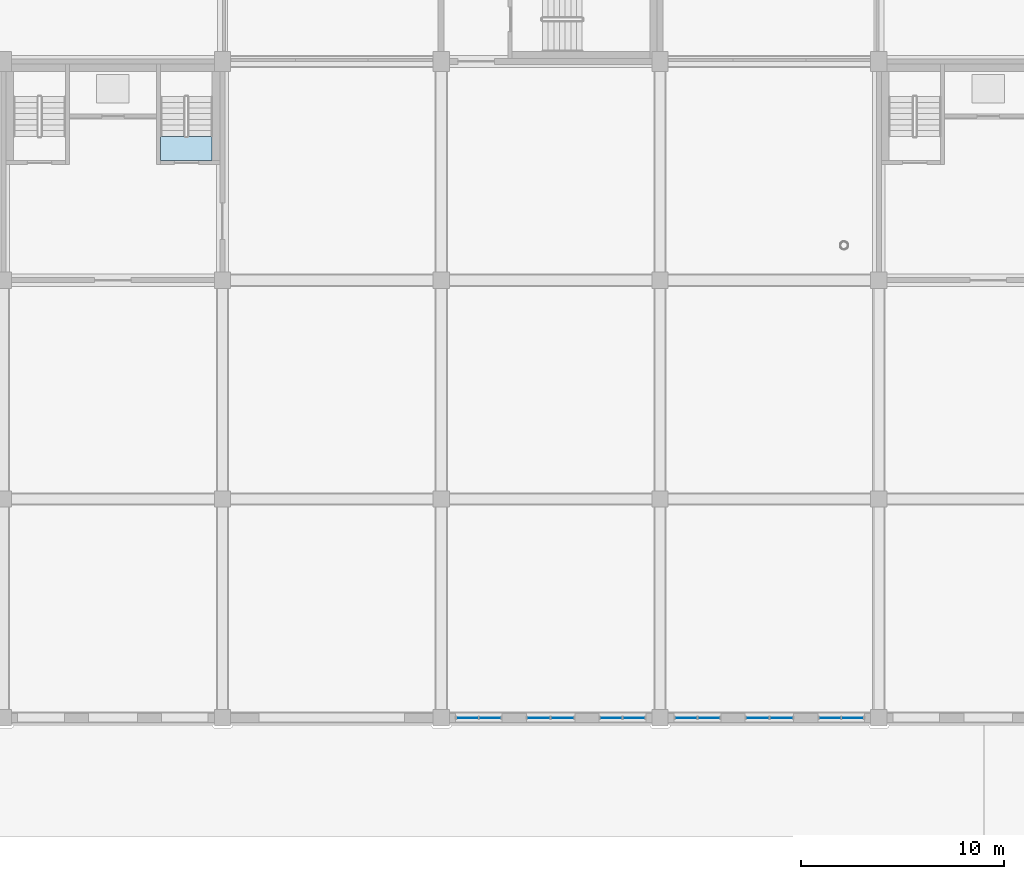
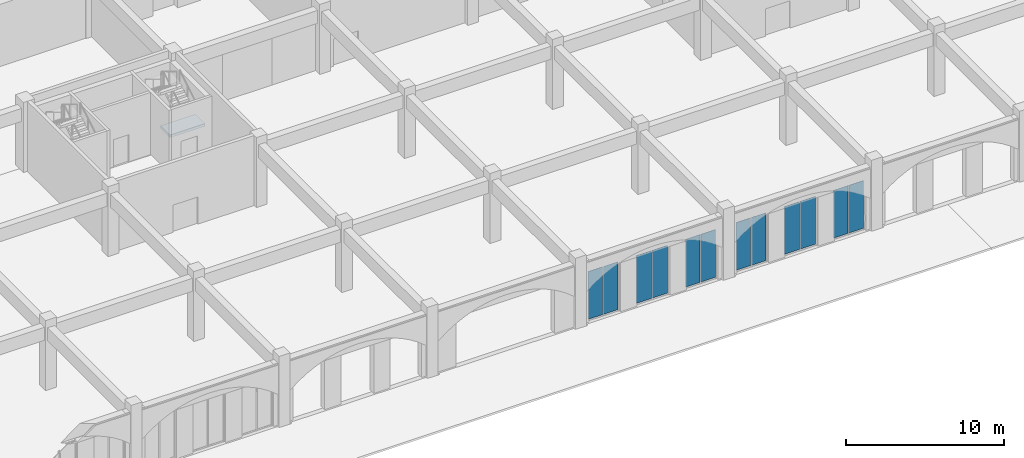
# One storey, part 22 of 101: 12 plates, 1 slab, 7 elements without a shape of their own.
"""IFC4 building model written with IfcOpenShell, lengths in metres."""

import ifcopenshell
import ifcopenshell.guid

model = None  # the IFC model being written
_history = None  # IfcOwnerHistory: only IFC2X3 demands one
_inside = {}  # id of a spatial element -> (the spatial element, [elements in it])
_under = {}  # id of a project, library or spatial element -> (it, [spatial elements below it])
_declared = {}  # id of a project -> (the project, [libraries it declares])
_typed = {}  # id of a type object -> (the type object, [elements of that type])
_made_of = {}  # id of a material, layer set ... -> (it, [elements and type objects made of it])


def new_model(schema):
    """Start an empty IFC model of exactly this schema.

    Asked for "IFC4X3", IfcOpenShell would pick the latest addendum, in which some entities
    have other attributes; the version numbers below select the first issue.
    IFC2X3 requires an IfcOwnerHistory on every rooted entity: one is made here for all.
    """
    global model, _history
    if schema == "IFC4X3":
        model = ifcopenshell.file(schema_version=(4, 3, 0, 0))
    else:
        model = ifcopenshell.file(schema=schema)
    _inside.clear()
    _under.clear()
    _declared.clear()
    _typed.clear()
    _made_of.clear()
    _history = None
    if model.schema == "IFC2X3":
        org = make("IfcOrganization", Name="unknown")
        user = make(
            "IfcPersonAndOrganization",
            ThePerson=make("IfcPerson", FamilyName="unknown"),
            TheOrganization=org,
        )
        app = make(
            "IfcApplication",
            ApplicationDeveloper=org,
            Version="unknown",
            ApplicationFullName="unknown",
            ApplicationIdentifier="unknown",
        )
        _history = make(
            "IfcOwnerHistory",
            OwningUser=user,
            OwningApplication=app,
            ChangeAction="ADDED",
            CreationDate=0,
        )
    return model


def make(cls, **values):
    """One entity of the class cls with the attributes given. An attribute that is None is left unset."""
    return model.create_entity(
        cls, **{name: value for name, value in values.items() if value is not None}
    )


def rooted(cls, **values):
    """An entity with a GlobalId (a new one), such as an element, a storey or a relation."""
    return make(cls, GlobalId=ifcopenshell.guid.new(), OwnerHistory=_history, **values)


def si_unit(unit_type, name, prefix=None):
    """IfcSIUnit, for example si_unit("LENGTHUNIT", "METRE", prefix="MILLI")."""
    return make("IfcSIUnit", UnitType=unit_type, Prefix=prefix, Name=name)


def assignment(units):
    """IfcUnitAssignment: the units of a project."""
    return None if units is None else make("IfcUnitAssignment", Units=units)


def point(xyz):
    """IfcCartesianPoint."""
    return None if xyz is None else make("IfcCartesianPoint", Coordinates=xyz)


def direction(xyz):
    """IfcDirection."""
    return None if xyz is None else make("IfcDirection", DirectionRatios=xyz)


def frame(location, z_axis=None, x_axis=None):
    """IfcAxis2Placement3D, a coordinate frame: its origin and axes. An axis left out is left unset."""
    return make(
        "IfcAxis2Placement3D",
        Location=point(location),
        Axis=direction(z_axis),
        RefDirection=direction(x_axis),
    )


def frame_2d(location, x_axis=None):
    """IfcAxis2Placement2D, a coordinate frame in the plane: its origin and x axis."""
    return make(
        "IfcAxis2Placement2D", Location=point(location), RefDirection=direction(x_axis)
    )


def origin():
    """The frame at (0, 0, 0) with its axes left unset."""
    return frame((0.0, 0.0, 0.0))


def origin_2d():
    """The frame at (0, 0) in the plane with its x axis left unset."""
    return frame_2d((0.0, 0.0))


def place(relative_to, where):
    """IfcLocalPlacement: puts the frame where relative to a parent placement (None: the world)."""
    return make(
        "IfcLocalPlacement", PlacementRelTo=relative_to, RelativePlacement=where
    )


def context(
    kind, dimensions, precision=None, world=None, true_north=None, identifier=None
):
    """IfcGeometricRepresentationContext, for example the 3D "Model" context."""
    return make(
        "IfcGeometricRepresentationContext",
        ContextIdentifier=identifier,
        ContextType=kind,
        CoordinateSpaceDimension=dimensions,
        Precision=precision,
        WorldCoordinateSystem=world,
        TrueNorth=true_north,
    )


def subcontext(parent, identifier, kind, view, scale=None):
    """IfcGeometricRepresentationSubContext, for example "Body" below "Model"."""
    return make(
        "IfcGeometricRepresentationSubContext",
        ContextIdentifier=identifier,
        ContextType=kind,
        ParentContext=parent,
        TargetScale=scale,
        TargetView=view,
    )


def project(units=None, contexts=None):
    """IfcProject with its units and contexts."""
    return rooted(
        "IfcProject",
        Name="project",
        RepresentationContexts=contexts,
        UnitsInContext=assignment(units),
    )


def spatial(cls, under=None, at=None, **own):
    """A site, building, storey or space (cls), placed at a placement, below another one or the project."""
    s = rooted(cls, ObjectPlacement=at, **own)
    if under is not None:
        _under.setdefault(under.id(), (under, []))[1].append(s)
    return s


def polyline(points):
    """IfcPolyline through the points."""
    return make("IfcPolyline", Points=[point(p) for p in points])


def profile(cls, at=None, kind="AREA", **sizes):
    """A parametric profile (cls). Its sizes go by their IFC names, for example OverallWidth=200.0."""
    return make(cls, ProfileType=kind, Position=at, **sizes)


def rectangle(**sizes):
    """IfcRectangleProfileDef."""
    return profile("IfcRectangleProfileDef", **sizes)


def outline(outer, holes=None, kind="AREA"):
    """IfcArbitraryClosedProfileDef: a profile drawn as a closed curve; with holes, ...WithVoids."""
    if holes is None:
        return make("IfcArbitraryClosedProfileDef", ProfileType=kind, OuterCurve=outer)
    return make(
        "IfcArbitraryProfileDefWithVoids",
        ProfileType=kind,
        OuterCurve=outer,
        InnerCurves=holes,
    )


def extrude(swept, where, along, depth):
    """IfcExtrudedAreaSolid: the profile swept, set in the frame where, extruded along a direction by depth."""
    return make(
        "IfcExtrudedAreaSolid",
        SweptArea=swept,
        Position=where,
        ExtrudedDirection=direction(along),
        Depth=depth,
    )


def shape(context_of_items, identifier, shape_type, items):
    """IfcShapeRepresentation: the items that make up one representation, for example the "Body"."""
    return make(
        "IfcShapeRepresentation",
        ContextOfItems=context_of_items,
        RepresentationIdentifier=identifier,
        RepresentationType=shape_type,
        Items=items,
    )


def material(Name=None, Category=None):
    """IfcMaterial."""
    return make("IfcMaterial", Name=Name, Category=Category)


def layer(
    of_material, thickness, ventilated=None, Name=None, Category=None, Priority=None
):
    """IfcMaterialLayer: one layer of a wall or slab, of a material (None: an air gap)."""
    return make(
        "IfcMaterialLayer",
        Material=of_material,
        LayerThickness=thickness,
        IsVentilated=ventilated,
        Name=Name,
        Category=Category,
        Priority=Priority,
    )


def layer_set(layers, Name=None):
    """IfcMaterialLayerSet."""
    return make("IfcMaterialLayerSet", MaterialLayers=layers, LayerSetName=Name)


def made_of(thing, what):
    """Note that an element or type object is made of a material, layer set ...; save() writes the relation."""
    if what is not None:
        _made_of.setdefault(what.id(), (what, []))[1].append(thing)
    return thing


def type_object(cls, material=None, **own):
    """A type object (cls), such as IfcWallType, which elements share."""
    return made_of(rooted(cls, **own), material)


def element(
    cls,
    number,
    at=None,
    inside=None,
    cuts=None,
    type_object=None,
    material=None,
    context=None,
    identifier="Body",
    shape_type=None,
    held_by="IfcProductDefinitionShape",
    body=None,
    shapes=None,
    **own,
):
    """One element of the class cls, such as IfcWall. Its Tag is "e" and its number.

    at: its placement. inside: the storey or other place that contains it. cuts: it is an
    opening in that element (IfcRelVoidsElement). A single representation is given by context,
    identifier, shape_type and body (its items); several are given by shapes. held_by: the class
    of the entity that holds the representations. save() writes the other relations.
    """
    e = rooted(cls, Tag="e%d" % number, ObjectPlacement=at, **own)
    if body is not None:
        shapes = [shape(context, identifier, shape_type, body)]
    if shapes is not None:
        e.Representation = make(held_by, Representations=shapes)
    if inside is not None:
        _inside.setdefault(inside.id(), (inside, []))[1].append(e)
    if cuts is not None:
        rooted(
            "IfcRelVoidsElement", RelatingBuildingElement=cuts, RelatedOpeningElement=e
        )
    if type_object is not None:
        _typed.setdefault(type_object.id(), (type_object, []))[1].append(e)
    return made_of(e, material)


def aggregate(whole, parts):
    """IfcRelAggregates: a whole, such as a stair, and the parts it consists of."""
    return rooted("IfcRelAggregates", RelatingObject=whole, RelatedObjects=parts)


def save(model, path):
    """Write the relations noted so far, then the file.

    IfcRelAggregates (storeys below a building ...), IfcRelContainedInSpatialStructure (elements
    in a storey), IfcRelDefinesByType, IfcRelAssociatesMaterial and IfcRelDeclares: one each for
    every whole, place, type object, material and project.
    """
    for whole, parts in _under.values():
        aggregate(whole, parts)
    for where, things in _inside.values():
        rooted(
            "IfcRelContainedInSpatialStructure",
            RelatedElements=things,
            RelatingStructure=where,
        )
    for kind, things in _typed.values():
        rooted("IfcRelDefinesByType", RelatedObjects=things, RelatingType=kind)
    for what, things in _made_of.values():
        rooted("IfcRelAssociatesMaterial", RelatedObjects=things, RelatingMaterial=what)
    for by, libraries in _declared.values():
        rooted("IfcRelDeclares", RelatingContext=by, RelatedDefinitions=libraries)
    model.write(path)


model = new_model("IFC4")

# Units and contexts
model_context = context("Model", 3, precision=1e-05, world=origin(), true_north=direction((0.0, 1.0)))
body_context = subcontext(model_context, "Body", "Model", "MODEL_VIEW")
ifc_project = project(units=[si_unit("LENGTHUNIT", "METRE"), si_unit("AREAUNIT", "SQUARE_METRE"), si_unit("VOLUMEUNIT", "CUBIC_METRE"), si_unit("PLANEANGLEUNIT", "RADIAN"), si_unit("MASSUNIT", "GRAM", prefix="KILO")], contexts=[model_context])

# Site, building, storey
site_placement = place(None, origin())
site = spatial("IfcSite", under=ifc_project, at=site_placement, CompositionType="ELEMENT")
building_placement = place(site_placement, origin())
building = spatial("IfcBuilding", under=site, at=building_placement, Name="Magnolia Steps Interchange", CompositionType="ELEMENT")
storey_placement = place(building_placement, frame((0.0, 0.0, -5.39990234375)))
storey = spatial("IfcBuildingStorey", under=building, at=storey_placement, Name="B1", CompositionType="ELEMENT", Elevation=-5.39990234375)

# Stair, slab
ifc_material_1 = material(Name="Concrete C40", Category="concrete")
stair_type = type_object("IfcStairType", Name="Exit stair 1200", PredefinedType="HALF_TURN_STAIR", material=ifc_material_1)
stair_placement = place(storey_placement, origin())
stair = element("IfcStair", 1, at=stair_placement, inside=storey, type_object=stair_type, Name="B1 Stair 20", PredefinedType="HALF_TURN_STAIR")
ifc_material_2 = material(Name="Concrete C40", Category="concrete")
ifc_layer_1 = layer(ifc_material_2, 0.199951171875)
ifc_layer_set_1 = layer_set([ifc_layer_1], Name="Exit stair landing 200")
slab_type = type_object("IfcSlabType", Name="Exit stair landing 200", PredefinedType="LANDING", material=ifc_layer_set_1)
slab_placement = place(storey_placement, frame((0.0, 0.0, 2.5)))
slab = element("IfcSlab", 2, at=slab_placement, type_object=slab_type, Name="Stair 20 landing 2", PredefinedType="LANDING", context=body_context, shape_type="SweptSolid", body=[
    extrude(outline(polyline([(95.89990234375, 37.5), (95.89990234375, 38.699951171875), (93.35009765625, 38.699951171875), (93.35009765625, 37.5), (95.89990234375, 37.5)])), origin(), (0.0, 0.0, 1.0), 0.199951171875),
])
aggregate(stair, [slab])

# Curtain wall, plates
ifc_material_3 = material(Name="Powder-coated aluminium and glass", Category="aluminium")
ifc_layer_2 = layer(ifc_material_3, 0.1201171875)
ifc_layer_set_2 = layer_set([ifc_layer_2], Name="Shopfront curtain wall")
curtain_wall_type = type_object("IfcCurtainWallType", Name="Shopfront curtain wall", PredefinedType="NOTDEFINED", material=ifc_layer_set_2)
curtain_wall_1_placement = place(storey_placement, origin())
curtain_wall_1 = element("IfcCurtainWall", 3, at=curtain_wall_1_placement, inside=storey, type_object=curtain_wall_type, Name="Street arcade shopfront 30", PredefinedType="NOTDEFINED")
ifc_material_4 = material(Name="Laminated glass", Category="glass")
ifc_layer_3 = layer(ifc_material_4, 0.028076171875)
ifc_layer_set_3 = layer_set([ifc_layer_3], Name="Glass panel 28")
plate_type = type_object("IfcPlateType", Name="Glass panel 28", PredefinedType="CURTAIN_PANEL", material=ifc_layer_set_3)
plate_1_placement = place(storey_placement, frame((108.489990234375, 10.0, 0.06005859375), z_axis=(0.0, 0.0, 1.0), x_axis=(1.0, 0.0, 0.0)))
plate_1 = element("IfcPlate", 4, at=plate_1_placement, type_object=plate_type, Name="CW3 panel 1.1", PredefinedType="CURTAIN_PANEL", context=body_context, shape_type="SweptSolid", body=[
    extrude(rectangle(XDim=1.06005859375, YDim=0.028076171875, at=origin_2d()), origin(), (0.0, 0.0, 1.0), 3.679931640625),
])
plate_2_placement = place(storey_placement, frame((109.610107421875, 10.0, 0.06005859375), z_axis=(0.0, 0.0, 1.0), x_axis=(1.0, 0.0, 0.0)))
plate_2 = element("IfcPlate", 5, at=plate_2_placement, type_object=plate_type, Name="CW3 panel 2.1", PredefinedType="CURTAIN_PANEL", context=body_context, shape_type="SweptSolid", body=[
    extrude(rectangle(XDim=1.06005859375, YDim=0.028076171875, at=origin_2d()), origin(), (0.0, 0.0, 1.0), 3.679931640625),
])
aggregate(curtain_wall_1, [plate_1, plate_2])

curtain_wall_2_placement = place(storey_placement, origin())
curtain_wall_2 = element("IfcCurtainWall", 6, at=curtain_wall_2_placement, inside=storey, type_object=curtain_wall_type, Name="Street arcade shopfront 32", PredefinedType="NOTDEFINED")
plate_3_placement = place(storey_placement, frame((112.014892578125, 10.0, 0.06005859375), z_axis=(0.0, 0.0, 1.0), x_axis=(1.0, 0.0, 0.0)))
plate_3 = element("IfcPlate", 7, at=plate_3_placement, type_object=plate_type, Name="CW3 panel 1.1", PredefinedType="CURTAIN_PANEL", context=body_context, shape_type="SweptSolid", body=[
    extrude(rectangle(XDim=1.110107421875, YDim=0.028076171875, at=origin_2d()), origin(), (0.0, 0.0, 1.0), 3.679931640625),
])
plate_4_placement = place(storey_placement, frame((113.18505859375, 10.0, 0.06005859375), z_axis=(0.0, 0.0, 1.0), x_axis=(1.0, 0.0, 0.0)))
plate_4 = element("IfcPlate", 8, at=plate_4_placement, type_object=plate_type, Name="CW3 panel 2.1", PredefinedType="CURTAIN_PANEL", context=body_context, shape_type="SweptSolid", body=[
    extrude(rectangle(XDim=1.110107421875, YDim=0.028076171875, at=origin_2d()), origin(), (0.0, 0.0, 1.0), 3.679931640625),
])
aggregate(curtain_wall_2, [plate_3, plate_4])

curtain_wall_3_placement = place(storey_placement, origin())
curtain_wall_3 = element("IfcCurtainWall", 9, at=curtain_wall_3_placement, inside=storey, type_object=curtain_wall_type, Name="Street arcade shopfront 34", PredefinedType="NOTDEFINED")
plate_5_placement = place(storey_placement, frame((115.590087890625, 10.0, 0.06005859375), z_axis=(0.0, 0.0, 1.0), x_axis=(1.0, 0.0, 0.0)))
plate_5 = element("IfcPlate", 10, at=plate_5_placement, type_object=plate_type, Name="CW3 panel 1.1", PredefinedType="CURTAIN_PANEL", context=body_context, shape_type="SweptSolid", body=[
    extrude(rectangle(XDim=1.06005859375, YDim=0.028076171875, at=origin_2d()), origin(), (0.0, 0.0, 1.0), 3.679931640625),
])
plate_6_placement = place(storey_placement, frame((116.7099609375, 10.0, 0.06005859375), z_axis=(0.0, 0.0, 1.0), x_axis=(1.0, 0.0, 0.0)))
plate_6 = element("IfcPlate", 11, at=plate_6_placement, type_object=plate_type, Name="CW3 panel 2.1", PredefinedType="CURTAIN_PANEL", context=body_context, shape_type="SweptSolid", body=[
    extrude(rectangle(XDim=1.06005859375, YDim=0.028076171875, at=origin_2d()), origin(), (0.0, 0.0, 1.0), 3.679931640625),
])
aggregate(curtain_wall_3, [plate_5, plate_6])

curtain_wall_4_placement = place(storey_placement, origin())
curtain_wall_4 = element("IfcCurtainWall", 12, at=curtain_wall_4_placement, inside=storey, type_object=curtain_wall_type, Name="Street arcade shopfront 36", PredefinedType="NOTDEFINED")
plate_7_placement = place(storey_placement, frame((119.2900390625, 10.0, 0.06005859375), z_axis=(0.0, 0.0, 1.0), x_axis=(1.0, 0.0, 0.0)))
plate_7 = element("IfcPlate", 13, at=plate_7_placement, type_object=plate_type, Name="CW3 panel 1.1", PredefinedType="CURTAIN_PANEL", context=body_context, shape_type="SweptSolid", body=[
    extrude(rectangle(XDim=1.06005859375, YDim=0.028076171875, at=origin_2d()), origin(), (0.0, 0.0, 1.0), 3.679931640625),
])
plate_8_placement = place(storey_placement, frame((120.409912109375, 10.0, 0.06005859375), z_axis=(0.0, 0.0, 1.0), x_axis=(1.0, 0.0, 0.0)))
plate_8 = element("IfcPlate", 14, at=plate_8_placement, type_object=plate_type, Name="CW3 panel 2.1", PredefinedType="CURTAIN_PANEL", context=body_context, shape_type="SweptSolid", body=[
    extrude(rectangle(XDim=1.06005859375, YDim=0.028076171875, at=origin_2d()), origin(), (0.0, 0.0, 1.0), 3.679931640625),
])
aggregate(curtain_wall_4, [plate_7, plate_8])

curtain_wall_5_placement = place(storey_placement, origin())
curtain_wall_5 = element("IfcCurtainWall", 15, at=curtain_wall_5_placement, inside=storey, type_object=curtain_wall_type, Name="Street arcade shopfront 38", PredefinedType="NOTDEFINED")
plate_9_placement = place(storey_placement, frame((122.81494140625, 10.0, 0.06005859375), z_axis=(0.0, 0.0, 1.0), x_axis=(1.0, 0.0, 0.0)))
plate_9 = element("IfcPlate", 16, at=plate_9_placement, type_object=plate_type, Name="CW3 panel 1.1", PredefinedType="CURTAIN_PANEL", context=body_context, shape_type="SweptSolid", body=[
    extrude(rectangle(XDim=1.110107421875, YDim=0.028076171875, at=origin_2d()), origin(), (0.0, 0.0, 1.0), 3.679931640625),
])
plate_10_placement = place(storey_placement, frame((123.985107421875, 10.0, 0.06005859375), z_axis=(0.0, 0.0, 1.0), x_axis=(1.0, 0.0, 0.0)))
plate_10 = element("IfcPlate", 17, at=plate_10_placement, type_object=plate_type, Name="CW3 panel 2.1", PredefinedType="CURTAIN_PANEL", context=body_context, shape_type="SweptSolid", body=[
    extrude(rectangle(XDim=1.110107421875, YDim=0.028076171875, at=origin_2d()), origin(), (0.0, 0.0, 1.0), 3.679931640625),
])
aggregate(curtain_wall_5, [plate_9, plate_10])

curtain_wall_6_placement = place(storey_placement, origin())
curtain_wall_6 = element("IfcCurtainWall", 18, at=curtain_wall_6_placement, inside=storey, type_object=curtain_wall_type, Name="Street arcade shopfront 40", PredefinedType="NOTDEFINED")
plate_11_placement = place(storey_placement, frame((126.389892578125, 10.0, 0.06005859375), z_axis=(0.0, 0.0, 1.0), x_axis=(1.0, 0.0, 0.0)))
plate_11 = element("IfcPlate", 19, at=plate_11_placement, type_object=plate_type, Name="CW3 panel 1.1", PredefinedType="CURTAIN_PANEL", context=body_context, shape_type="SweptSolid", body=[
    extrude(rectangle(XDim=1.06005859375, YDim=0.028076171875, at=origin_2d()), origin(), (0.0, 0.0, 1.0), 3.679931640625),
])
plate_12_placement = place(storey_placement, frame((127.510009765625, 10.0, 0.06005859375), z_axis=(0.0, 0.0, 1.0), x_axis=(1.0, 0.0, 0.0)))
plate_12 = element("IfcPlate", 20, at=plate_12_placement, type_object=plate_type, Name="CW3 panel 2.1", PredefinedType="CURTAIN_PANEL", context=body_context, shape_type="SweptSolid", body=[
    extrude(rectangle(XDim=1.06005859375, YDim=0.028076171875, at=origin_2d()), origin(), (0.0, 0.0, 1.0), 3.679931640625),
])
aggregate(curtain_wall_6, [plate_11, plate_12])

save(model, "model.ifc")
